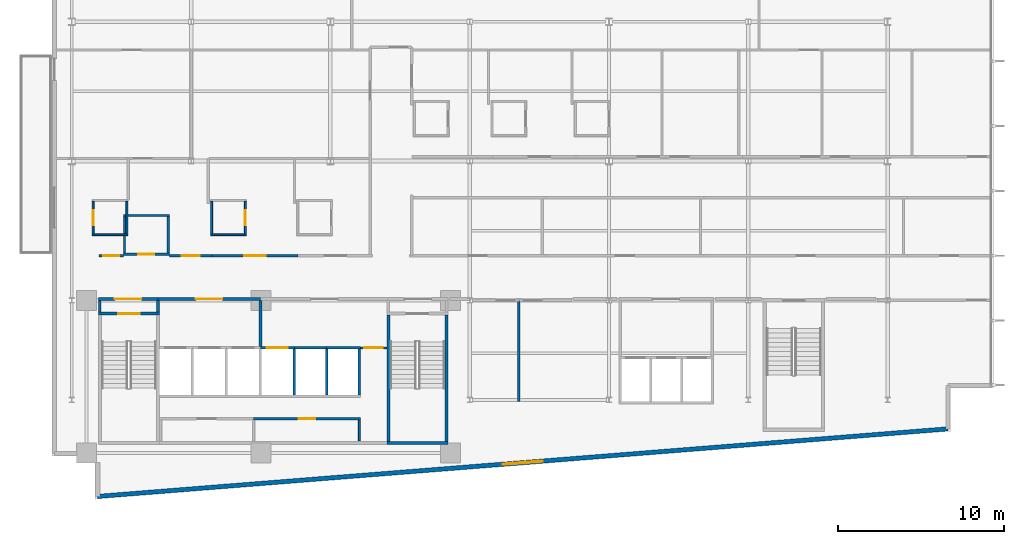
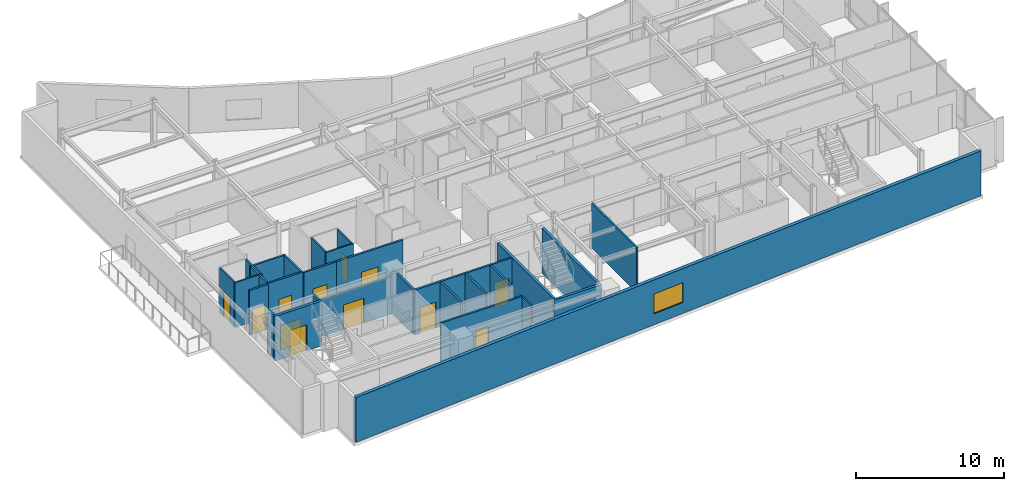
# One storey, part 10 of 18: 33 walls, 12 doors, 1 window, 13 openings.
"""IFC4 building model written with IfcOpenShell, lengths in metres."""

from ifc_helpers import new_model, si_unit, direction, frame, frame_2d, origin, place, context, subcontext, project, spatial, rectangle, extrude, material, layer, layer_set, type_object, element, fill, save


model = new_model("IFC4")

# Units and contexts
model_context = context("Model", 3, precision=1e-05, world=origin(), true_north=direction((0.0, 1.0)))
body_context = subcontext(model_context, "Body", "Model", "MODEL_VIEW")
ifc_project = project(units=[si_unit("LENGTHUNIT", "METRE"), si_unit("AREAUNIT", "SQUARE_METRE"), si_unit("VOLUMEUNIT", "CUBIC_METRE"), si_unit("PLANEANGLEUNIT", "RADIAN"), si_unit("MASSUNIT", "GRAM", prefix="KILO")], contexts=[model_context])

# Site, building, storey
site_placement = place(None, origin())
site = spatial("IfcSite", under=ifc_project, at=site_placement, CompositionType="ELEMENT")
building_placement = place(site_placement, origin())
building = spatial("IfcBuilding", under=site, at=building_placement, Name="Varnakote Quay Hospital", CompositionType="ELEMENT")
storey_placement = place(building_placement, frame((0.0, 0.0, 123.10009765625)))
storey = spatial("IfcBuildingStorey", under=building, at=storey_placement, Name="L30", CompositionType="ELEMENT", Elevation=123.10009765625)

# Wall
ifc_material_1 = material(Name="Fire-rated acoustic gypsum stud wall", Category="gypsum")
ifc_layer_1 = layer(ifc_material_1, 0.159912109375)
ifc_layer_set_1 = layer_set([ifc_layer_1], Name="Fire-rated acoustic gypsum stud wall")
wall_type_1 = type_object("IfcWallType", Name="WL-COMP-160", PredefinedType="PARTITIONING", material=ifc_layer_set_1)
wall_1_placement = place(storey_placement, frame((2.8798828125, 11.300048828125, 0.0), z_axis=(0.0, 0.0, 1.0), x_axis=(0.0, 1.0, 0.0)))
element("IfcWall", 1, at=wall_1_placement, inside=storey, type_object=wall_type_1, Name="L30 West Stair Vestibule West Wall", PredefinedType="PARTITIONING", context=body_context, shape_type="SweptSolid", body=[
    extrude(rectangle(XDim=0.699951171875, YDim=0.159912109375, at=frame_2d((0.35009765625, 0.0))), origin(), (0.0, 0.0, 1.0), 3.7099609375),
])

# Wall, opening, door
wall_2_placement = place(storey_placement, frame((2.800048828125, 12.080078125, 0.0), z_axis=(0.0, 0.0, 1.0), x_axis=(1.0, 0.0, 0.0)))
wall_2 = element("IfcWall", 2, at=wall_2_placement, inside=storey, type_object=wall_type_1, Name="L30 West Stair Vestibule Smoke Wall", PredefinedType="PARTITIONING", context=body_context, shape_type="SweptSolid", body=[
    extrude(rectangle(XDim=3.599853515625, YDim=0.159912109375, at=frame_2d((1.7998046875, 0.0))), origin(), (0.0, 0.0, 1.0), 3.0830078125),
])
opening_1_placement = place(wall_2_placement, frame((1.0, 0.0, 0.0)))
opening_1 = element("IfcOpeningElement", 3, at=opening_1_placement, cuts=wall_2, Name="Opening D-ST1L-L30", PredefinedType="OPENING", context=body_context, shape_type="SweptSolid", body=[
    extrude(rectangle(XDim=1.60009765625, YDim=2.050048828125, at=frame_2d((0.800048828125, 1.02490234375))), frame((0.0, 0.08984375, 0.0), z_axis=(0.0, -1.0, 0.0), x_axis=(1.0, 0.0, 0.0)), (0.0, 0.0, 1.0), 0.179931640625),
])
ifc_material_2 = material(Name="Fire-rated double smoke lobby door")
door_type_1 = type_object("IfcDoorType", Name="DR-LOBBY-FD60S-1600x2150", OperationType="NOTDEFINED", PredefinedType="DOOR", material=ifc_material_2)
door_1_placement = place(opening_1_placement, origin())
door_1 = element("IfcDoor", 4, at=door_1_placement, inside=storey, type_object=door_type_1, Name="L30 West Stair Vestibule Smoke Door", OperationType="DOUBLE_DOOR_SINGLE_SWING", OverallHeight=2.050048828125, OverallWidth=1.60009765625, PredefinedType="DOOR", context=body_context, shape_type="SweptSolid", body=[
    extrude(rectangle(XDim=1.60009765625, YDim=2.050048828125, at=frame_2d((0.800048828125, 1.02490234375))), frame((0.0, 0.02490234375, 0.0), z_axis=(0.0, -1.0, 0.0), x_axis=(1.0, 0.0, 0.0)), (0.0, 0.0, 1.0), 0.050048828125),
])
fill(opening_1, door_1)

# Wall
wall_3_placement = place(storey_placement, frame((6.39990234375, 11.300048828125, 0.0), z_axis=(0.0, 0.0, 1.0), x_axis=(0.0, 1.0, 0.0)))
element("IfcWall", 5, at=wall_3_placement, inside=storey, type_object=wall_type_1, Name="L30 Firefighting Lobby West Wall", PredefinedType="PARTITIONING", context=body_context, shape_type="SweptSolid", body=[
    extrude(rectangle(XDim=0.699951171875, YDim=0.159912109375, at=frame_2d((0.35009765625, 0.0))), origin(), (0.0, 0.0, 1.0), 3.7099609375),
])

# Wall, opening, door
wall_4_placement = place(storey_placement, frame((6.39990234375, 12.080078125, 0.0), z_axis=(0.0, 0.0, 1.0), x_axis=(1.0, 0.0, 0.0)))
wall_4 = element("IfcWall", 6, at=wall_4_placement, inside=storey, type_object=wall_type_1, Name="L30 Firefighting Lift Lobby Compartment Wall", PredefinedType="PARTITIONING", context=body_context, shape_type="SweptSolid", body=[
    extrude(rectangle(XDim=6.18017578125, YDim=0.159912109375, at=frame_2d((3.090087890625, 0.0))), origin(), (0.0, 0.0, 1.0), 3.0830078125),
])
opening_2_placement = place(wall_4_placement, frame((2.2900390625, 0.0, 0.0)))
opening_2 = element("IfcOpeningElement", 7, at=opening_2_placement, cuts=wall_4, Name="Opening D-FFL-L30", PredefinedType="OPENING", context=body_context, shape_type="SweptSolid", body=[
    extrude(rectangle(XDim=1.60009765625, YDim=2.050048828125, at=frame_2d((0.800048828125, 1.02490234375))), frame((0.0, 0.08984375, 0.0), z_axis=(0.0, -1.0, 0.0), x_axis=(1.0, 0.0, 0.0)), (0.0, 0.0, 1.0), 0.179931640625),
])
door_2_placement = place(opening_2_placement, origin())
door_2 = element("IfcDoor", 8, at=door_2_placement, inside=storey, type_object=door_type_1, Name="L30 Firefighting Smoke Vestibule Door", OperationType="DOUBLE_DOOR_SINGLE_SWING", OverallHeight=2.050048828125, OverallWidth=1.60009765625, PredefinedType="DOOR", context=body_context, shape_type="SweptSolid", body=[
    extrude(rectangle(XDim=1.60009765625, YDim=2.050048828125, at=frame_2d((0.800048828125, 1.02490234375))), frame((0.0, 0.02490234375, 0.0), z_axis=(0.0, -1.0, 0.0), x_axis=(1.0, 0.0, 0.0)), (0.0, 0.0, 1.0), 0.050048828125),
])
fill(opening_2, door_2)

# Walls
wall_5_placement = place(storey_placement, frame((12.580078125, 9.2099609375, 0.0), z_axis=(0.0, 0.0, 1.0), x_axis=(0.0, 1.0, 0.0)))
element("IfcWall", 9, at=wall_5_placement, inside=storey, type_object=wall_type_1, Name="L30 Firefighting to Service Lobby Wall", PredefinedType="PARTITIONING", context=body_context, shape_type="SweptSolid", body=[
    extrude(rectangle(XDim=2.7900390625, YDim=0.159912109375, at=frame_2d((1.39501953125, 0.0))), origin(), (0.0, 0.0, 1.0), 3.7099609375),
])
ifc_material_3 = material(Name="Moisture-resistant bathroom partition", Category="gypsum")
ifc_layer_2 = layer(ifc_material_3, 0.114990234375)
ifc_layer_set_2 = layer_set([ifc_layer_2], Name="Moisture-resistant bathroom partition")
wall_type_2 = type_object("IfcWallType", Name="WL-ENS-115", PredefinedType="PARTITIONING", material=ifc_layer_set_2)
wall_6_placement = place(storey_placement, frame((2.43505859375, 15.952392578125, 0.0), z_axis=(0.0, 0.0, 1.0), x_axis=(1.0, 0.0, 0.0)))
element("IfcWall", 10, at=wall_6_placement, inside=storey, type_object=wall_type_2, Name="L30 Inpatient En-Suite Bathroom 01 S Wall", PredefinedType="PARTITIONING", context=body_context, shape_type="SweptSolid", body=[
    extrude(rectangle(XDim=2.14990234375, YDim=0.114990234375, at=frame_2d((1.074951171875, 0.0))), origin(), (0.0, 0.0, 1.0), 3.7099609375),
])

# Wall, opening, door
wall_7_placement = place(storey_placement, frame((2.492431640625, 16.010009765625, 0.0), z_axis=(0.0, 0.0, 1.0), x_axis=(0.0, 1.0, 0.0)))
wall_7 = element("IfcWall", 11, at=wall_7_placement, inside=storey, type_object=wall_type_2, Name="L30 Inpatient En-Suite Bathroom 01 W Wall", PredefinedType="PARTITIONING", context=body_context, shape_type="SweptSolid", body=[
    extrude(rectangle(XDim=1.949951171875, YDim=0.114990234375, at=frame_2d((0.97509765625, 0.0))), origin(), (0.0, 0.0, 1.0), 3.7099609375),
])
opening_3_placement = place(wall_7_placement, frame((0.514892578125, 0.0, 0.0)))
opening_3 = element("IfcOpeningElement", 12, at=opening_3_placement, cuts=wall_7, Name="Opening D-L30-ENS01", PredefinedType="OPENING", context=body_context, shape_type="SweptSolid", body=[
    extrude(rectangle(XDim=0.919921875, YDim=2.10009765625, at=frame_2d((0.4599609375, 1.050048828125))), frame((0.0, 0.0673828125, 0.0), z_axis=(0.0, -1.0, 0.0), x_axis=(1.0, 0.0, 0.0)), (0.0, 0.0, 1.0), 0.135009765625),
])
ifc_material_4 = material(Name="Moisture-sealed en-suite bathroom door")
door_type_2 = type_object("IfcDoorType", Name="DR-ENS-920x2100", OperationType="NOTDEFINED", PredefinedType="DOOR", material=ifc_material_4)
door_3_placement = place(opening_3_placement, origin())
door_3 = element("IfcDoor", 13, at=door_3_placement, inside=storey, type_object=door_type_2, Name="L30 Inpatient En-Suite Bathroom 01 Door", OperationType="SINGLE_SWING_RIGHT", OverallHeight=2.10009765625, OverallWidth=0.919921875, PredefinedType="DOOR", context=body_context, shape_type="SweptSolid", body=[
    extrude(rectangle(XDim=0.919921875, YDim=2.10009765625, at=frame_2d((0.4599609375, 1.050048828125))), frame((0.0, 0.02490234375, 0.0), z_axis=(0.0, -1.0, 0.0), x_axis=(1.0, 0.0, 0.0)), (0.0, 0.0, 1.0), 0.050048828125),
])
fill(opening_3, door_3)

# Walls
wall_8_placement = place(storey_placement, frame((4.527587890625, 16.010009765625, 0.0), z_axis=(0.0, 0.0, 1.0), x_axis=(0.0, 1.0, 0.0)))
element("IfcWall", 14, at=wall_8_placement, inside=storey, type_object=wall_type_2, Name="L30 Inpatient En-Suite Bathroom 01 E Wall", PredefinedType="PARTITIONING", context=body_context, shape_type="SweptSolid", body=[
    extrude(rectangle(XDim=1.949951171875, YDim=0.114990234375, at=frame_2d((0.97509765625, 0.0))), origin(), (0.0, 0.0, 1.0), 3.7099609375),
])
wall_9_placement = place(storey_placement, frame((9.574951171875, 15.952392578125, 0.0), z_axis=(0.0, 0.0, 1.0), x_axis=(1.0, 0.0, 0.0)))
element("IfcWall", 15, at=wall_9_placement, inside=storey, type_object=wall_type_2, Name="L30 Inpatient En-Suite Bathroom 02 S Wall", PredefinedType="PARTITIONING", context=body_context, shape_type="SweptSolid", body=[
    extrude(rectangle(XDim=2.150146484375, YDim=0.114990234375, at=frame_2d((1.0751953125, 0.0))), origin(), (0.0, 0.0, 1.0), 3.7099609375),
])
wall_10_placement = place(storey_placement, frame((9.632568359375, 16.010009765625, 0.0), z_axis=(0.0, 0.0, 1.0), x_axis=(0.0, 1.0, 0.0)))
element("IfcWall", 16, at=wall_10_placement, inside=storey, type_object=wall_type_2, Name="L30 Inpatient En-Suite Bathroom 02 W Wall", PredefinedType="PARTITIONING", context=body_context, shape_type="SweptSolid", body=[
    extrude(rectangle(XDim=1.949951171875, YDim=0.114990234375, at=frame_2d((0.97509765625, 0.0))), origin(), (0.0, 0.0, 1.0), 3.7099609375),
])

# Wall, opening, door
wall_11_placement = place(storey_placement, frame((11.66748046875, 16.010009765625, 0.0), z_axis=(0.0, 0.0, 1.0), x_axis=(0.0, 1.0, 0.0)))
wall_11 = element("IfcWall", 17, at=wall_11_placement, inside=storey, type_object=wall_type_2, Name="L30 Inpatient En-Suite Bathroom 02 E Wall", PredefinedType="PARTITIONING", context=body_context, shape_type="SweptSolid", body=[
    extrude(rectangle(XDim=1.949951171875, YDim=0.114990234375, at=frame_2d((0.97509765625, 0.0))), origin(), (0.0, 0.0, 1.0), 3.7099609375),
])
opening_4_placement = place(wall_11_placement, frame((0.514892578125, 0.0, 0.0)))
opening_4 = element("IfcOpeningElement", 18, at=opening_4_placement, cuts=wall_11, Name="Opening D-L30-ENS02", PredefinedType="OPENING", context=body_context, shape_type="SweptSolid", body=[
    extrude(rectangle(XDim=0.919921875, YDim=2.10009765625, at=frame_2d((0.4599609375, 1.050048828125))), frame((0.0, 0.0673828125, 0.0), z_axis=(0.0, -1.0, 0.0), x_axis=(1.0, 0.0, 0.0)), (0.0, 0.0, 1.0), 0.135009765625),
])
door_4_placement = place(opening_4_placement, origin())
door_4 = element("IfcDoor", 19, at=door_4_placement, inside=storey, type_object=door_type_2, Name="L30 Inpatient En-Suite Bathroom 02 Door", OperationType="SINGLE_SWING_LEFT", OverallHeight=2.10009765625, OverallWidth=0.919921875, PredefinedType="DOOR", context=body_context, shape_type="SweptSolid", body=[
    extrude(rectangle(XDim=0.919921875, YDim=2.10009765625, at=frame_2d((0.4599609375, 1.050048828125))), frame((0.0, 0.02490234375, 0.0), z_axis=(0.0, -1.0, 0.0), x_axis=(1.0, 0.0, 0.0)), (0.0, 0.0, 1.0), 0.050048828125),
])
fill(opening_4, door_4)

# Wall, opening, window
ifc_material_5 = material(Name="Precast concrete N50 (f'c 50 MPa)", Category="concrete")
ifc_layer_3 = layer(ifc_material_5, 0.260009765625)
ifc_layer_set_3 = layer_set([ifc_layer_3], Name="Precast concrete N50 (f'c 50 MPa)")
wall_type_3 = type_object("IfcWallType", Name="WL-EXT-BRICK-260", PredefinedType="STANDARD", material=ifc_layer_set_3)
wall_12_placement = place(storey_placement, frame((2.760009765625, 0.173095703125, 0.0), z_axis=(0.0, 0.0, 1.0), x_axis=(0.996857931723, 0.079210251617, 0.0)))
wall_12 = element("IfcWall", 20, at=wall_12_placement, inside=storey, type_object=wall_type_3, Name="L30 Brick-Faced Precast Exterior Wall", PredefinedType="STANDARD", context=body_context, shape_type="SweptSolid", body=[
    extrude(rectangle(XDim=51.441650390625, YDim=0.260009765625, at=frame_2d((25.720703125, 0.0))), origin(), (0.0, 0.0, 1.0), 3.7099609375),
])
opening_5_placement = place(wall_12_placement, frame((24.520751953125, 0.0, 0.89990234375)))
opening_5 = element("IfcOpeningElement", 21, at=opening_5_placement, cuts=wall_12, Name="Opening WN-0130", PredefinedType="OPENING", context=body_context, shape_type="SweptSolid", body=[
    extrude(rectangle(XDim=2.39990234375, YDim=1.64990234375, at=frame_2d((1.199951171875, 0.824951171875))), frame((0.0, 0.139892578125, 0.0), z_axis=(0.0, -1.0, 0.0), x_axis=(1.0, 0.0, 0.0)), (0.0, 0.0, 1.0), 0.280029296875),
])
ifc_material_6 = material(Name="Double-glazed low-E solar glass", Category="glass")
window_type = type_object("IfcWindowType", Name="WIN-CLIN-2400x1650", PartitioningType="SINGLE_PANEL", PredefinedType="WINDOW", material=ifc_material_6)
window_placement = place(opening_5_placement, origin())
window = element("IfcWindow", 22, at=window_placement, inside=storey, type_object=window_type, Name="L30 Solar-Control Clinical Window", OverallHeight=1.64990234375, OverallWidth=2.39990234375, PartitioningType="SINGLE_PANEL", PredefinedType="WINDOW", context=body_context, shape_type="SweptSolid", body=[
    extrude(rectangle(XDim=2.39990234375, YDim=1.64990234375, at=frame_2d((1.199951171875, 0.824951171875))), frame((0.0, 0.030029296875, 0.0), z_axis=(0.0, -1.0, 0.0), x_axis=(1.0, 0.0, 0.0)), (0.0, 0.0, 1.0), 0.06005859375),
])
fill(opening_5, window)

# Walls
ifc_material_7 = material(Name="Concrete N50 (f'c 50 MPa)", Category="concrete")
ifc_layer_4 = layer(ifc_material_7, 0.14990234375)
ifc_layer_set_4 = layer_set([ifc_layer_4], Name="Concrete N50 (f'c 50 MPa)")
wall_type_4 = type_object("IfcWallType", Name="WL-SHAFT-N50-150", PredefinedType="SHEAR", material=ifc_layer_set_4)
for number, where, z_axis, x_axis, name in (
    (23, (14.625, 6.300048828125, 0.0), (0.0, 0.0, 1.0), (0.0, 1.0, 0.0), "L30 LF-SV2 Hoistway Divider Wall"),
    (24, (16.574951171875, 6.300048828125, 0.0), (0.0, 0.0, 1.0), (0.0, 1.0, 0.0), "L30 LF-PH1 Hoistway Divider Wall"),
):
    element("IfcWall", number, at=place(storey_placement, frame(where, z_axis=z_axis, x_axis=x_axis)), inside=storey, type_object=wall_type_4, Name=name, PredefinedType="SHEAR", context=body_context, shape_type="SweptSolid", body=[
        extrude(rectangle(XDim=2.75, YDim=0.14990234375, at=frame_2d((1.375, 0.0))), origin(), (0.0, 0.0, 1.0), 3.7099609375),
    ])
ifc_material_8 = material(Name="Concrete N50 (f'c 50 MPa)", Category="concrete")
ifc_layer_5 = layer(ifc_material_8, 0.159912109375)
ifc_layer_set_5 = layer_set([ifc_layer_5], Name="Concrete N50 (f'c 50 MPa)")
wall_type_5 = type_object("IfcWallType", Name="WL-SHAFT-N50-160", PredefinedType="SHEAR", material=ifc_layer_set_5)
wall_13_placement = place(storey_placement, frame((18.530029296875, 6.300048828125, 0.0), z_axis=(0.0, 0.0, 1.0), x_axis=(0.0, 1.0, 0.0)))
element("IfcWall", 25, at=wall_13_placement, inside=storey, type_object=wall_type_5, Name="L30 REAR Lift Bank East Shear Wall", PredefinedType="SHEAR", context=body_context, shape_type="SweptSolid", body=[
    extrude(rectangle(XDim=2.75, YDim=0.159912109375, at=frame_2d((1.375, 0.0))), origin(), (0.0, 0.0, 1.0), 3.7099609375),
])

# Wall, opening, door
wall_14_placement = place(storey_placement, frame((12.574951171875, 9.1298828125, 0.0), z_axis=(0.0, 0.0, 1.0), x_axis=(1.0, 0.0, 0.0)))
wall_14 = element("IfcWall", 26, at=wall_14_placement, inside=storey, type_object=wall_type_5, Name="L30 LF-SV2 Hoistway Front Wall", PredefinedType="SHEAR", context=body_context, shape_type="SweptSolid", body=[
    extrude(rectangle(XDim=2.050048828125, YDim=0.159912109375, at=frame_2d((1.02490234375, 0.0))), origin(), (0.0, 0.0, 1.0), 3.7099609375),
])
opening_6_placement = place(wall_14_placement, frame((0.39990234375, 0.0, 0.0)))
opening_6 = element("IfcOpeningElement", 27, at=opening_6_placement, cuts=wall_14, Name="Opening LD-SV2-L30", PredefinedType="OPENING", context=body_context, shape_type="SweptSolid", body=[
    extrude(rectangle(XDim=1.25, YDim=2.14990234375, at=frame_2d((0.625, 1.074951171875))), frame((0.0, 0.08984375, 0.0), z_axis=(0.0, -1.0, 0.0), x_axis=(1.0, 0.0, 0.0)), (0.0, 0.0, 1.0), 0.179931640625),
])
ifc_material_9 = material(Name="Stainless steel lift landing sliding door", Category="steel")
door_type_3 = type_object("IfcDoorType", Name="DR-LIFT-LD-1250x2150", OperationType="NOTDEFINED", PredefinedType="DOOR", material=ifc_material_9)
door_5_placement = place(opening_6_placement, origin())
door_5 = element("IfcDoor", 28, at=door_5_placement, inside=storey, type_object=door_type_3, Name="L30 LF-SV2 Lift Landing Sliding Door", OperationType="SLIDING_TO_LEFT", OverallHeight=2.14990234375, OverallWidth=1.25, PredefinedType="DOOR", context=body_context, shape_type="SweptSolid", body=[
    extrude(rectangle(XDim=1.25, YDim=2.14990234375, at=frame_2d((0.625, 1.074951171875))), frame((0.0, 0.02490234375, 0.0), z_axis=(0.0, -1.0, 0.0), x_axis=(1.0, 0.0, 0.0)), (0.0, 0.0, 1.0), 0.050048828125),
])
fill(opening_6, door_5)

# Walls
wall_15_placement = place(storey_placement, frame((14.625, 9.1298828125, 0.0), z_axis=(0.0, 0.0, 1.0), x_axis=(1.0, 0.0, 0.0)))
element("IfcWall", 29, at=wall_15_placement, inside=storey, type_object=wall_type_5, Name="L30 LF-PH1 Hoistway Front Wall", PredefinedType="SHEAR", context=body_context, shape_type="SweptSolid", body=[
    extrude(rectangle(XDim=1.949951171875, YDim=0.159912109375, at=frame_2d((0.97509765625, 0.0))), origin(), (0.0, 0.0, 1.0), 3.7099609375),
])
wall_16_placement = place(storey_placement, frame((16.574951171875, 9.1298828125, 0.0), z_axis=(0.0, 0.0, 1.0), x_axis=(1.0, 0.0, 0.0)))
element("IfcWall", 30, at=wall_16_placement, inside=storey, type_object=wall_type_5, Name="L30 LF-PH2 Hoistway Front Wall", PredefinedType="SHEAR", context=body_context, shape_type="SweptSolid", body=[
    extrude(rectangle(XDim=2.03515625, YDim=0.159912109375, at=frame_2d((1.017578125, 0.0))), origin(), (0.0, 0.0, 1.0), 3.7099609375),
])

# Wall, opening, door
ifc_material_10 = material(Name="Concrete N50 (f'c 50 MPa)", Category="concrete")
ifc_layer_6 = layer(ifc_material_10, 0.199951171875)
ifc_layer_set_6 = layer_set([ifc_layer_6], Name="Concrete N50 (f'c 50 MPa)")
wall_type_6 = type_object("IfcWallType", Name="WL-SHAFT-N50-200", PredefinedType="SHEAR", material=ifc_layer_set_6)
wall_17_placement = place(storey_placement, frame((2.800048828125, 11.199951171875, 0.0), z_axis=(0.0, 0.0, 1.0), x_axis=(1.0, 0.0, 0.0)))
wall_17 = element("IfcWall", 31, at=wall_17_placement, inside=storey, type_object=wall_type_6, Name="L30 Stair ST1 Exit Wall", PredefinedType="SHEAR", context=body_context, shape_type="SweptSolid", body=[
    extrude(rectangle(XDim=3.699951171875, YDim=0.199951171875, at=frame_2d((1.85009765625, 0.0))), origin(), (0.0, 0.0, 1.0), 3.7099609375),
])
opening_7_placement = place(wall_17_placement, frame((1.199951171875, 0.0, 0.0)))
opening_7 = element("IfcOpeningElement", 32, at=opening_7_placement, cuts=wall_17, Name="Opening D-ST1-L30", PredefinedType="OPENING", context=body_context, shape_type="SweptSolid", body=[
    extrude(rectangle(XDim=1.300048828125, YDim=2.14990234375, at=frame_2d((0.64990234375, 1.074951171875))), frame((0.0, 0.10986328125, 0.0), z_axis=(0.0, -1.0, 0.0), x_axis=(1.0, 0.0, 0.0)), (0.0, 0.0, 1.0), 0.219970703125),
])
ifc_material_11 = material(Name="Fire-rated ceramic-glazed timber exit door", Category="wood")
door_type_4 = type_object("IfcDoorType", Name="DR-STAIR-FD60S-1300x2150", OperationType="NOTDEFINED", PredefinedType="DOOR", material=ifc_material_11)
door_6_placement = place(opening_7_placement, origin())
door_6 = element("IfcDoor", 33, at=door_6_placement, inside=storey, type_object=door_type_4, Name="L30 Stair ST1 Fire Exit Door", OperationType="SINGLE_SWING_LEFT", OverallHeight=2.14990234375, OverallWidth=1.300048828125, PredefinedType="DOOR", context=body_context, shape_type="SweptSolid", body=[
    extrude(rectangle(XDim=1.300048828125, YDim=2.14990234375, at=frame_2d((0.64990234375, 1.074951171875))), frame((0.0, 0.02490234375, 0.0), z_axis=(0.0, -1.0, 0.0), x_axis=(1.0, 0.0, 0.0)), (0.0, 0.0, 1.0), 0.050048828125),
])
fill(opening_7, door_6)

# Walls
wall_18_placement = place(storey_placement, frame((20.199951171875, 3.39990234375, 0.0), z_axis=(0.0, 0.0, 1.0), x_axis=(1.0, 0.0, 0.0)))
element("IfcWall", 34, at=wall_18_placement, inside=storey, type_object=wall_type_6, Name="L30 Stair ST2 South Shaft Wall", PredefinedType="SHEAR", context=body_context, shape_type="SweptSolid", body=[
    extrude(rectangle(XDim=3.699951171875, YDim=0.199951171875, at=frame_2d((1.85009765625, 0.0))), origin(), (0.0, 0.0, 1.0), 3.7099609375),
])
for number, where, z_axis, x_axis, name in (
    (35, (20.300048828125, 3.5, 0.0), (0.0, 0.0, 1.0), (0.0, 1.0, 0.0), "L30 Stair ST2 West Shaft Wall"),
    (36, (23.800048828125, 3.5, 0.0), (0.0, 0.0, 1.0), (0.0, 1.0, 0.0), "L30 Stair ST2 East Shaft Wall"),
):
    element("IfcWall", number, at=place(storey_placement, frame(where, z_axis=z_axis, x_axis=x_axis)), inside=storey, type_object=wall_type_6, Name=name, PredefinedType="SHEAR", context=body_context, shape_type="SweptSolid", body=[
        extrude(rectangle(XDim=7.60009765625, YDim=0.199951171875, at=frame_2d((3.800048828125, 0.0))), origin(), (0.0, 0.0, 1.0), 3.7099609375),
    ])
ifc_material_12 = material(Name="Smoke-proof clinical partition", Category="gypsum")
ifc_layer_7 = layer(ifc_material_12, 0.1201171875)
ifc_layer_set_7 = layer_set([ifc_layer_7], Name="Smoke-proof clinical partition")
wall_type_7 = type_object("IfcWallType", Name="WL-SMOKE-120", PredefinedType="PARTITIONING", material=ifc_layer_set_7)
wall_19_placement = place(storey_placement, frame((18.5400390625, 3.52001953125, 0.0), z_axis=(0.0, 0.0, 1.0), x_axis=(0.0, 1.0, 0.0)))
element("IfcWall", 37, at=wall_19_placement, inside=storey, type_object=wall_type_7, Name="L30 Core South Service East Wall", PredefinedType="PARTITIONING", context=body_context, shape_type="SweptSolid", body=[
    extrude(rectangle(XDim=1.260009765625, YDim=0.1201171875, at=frame_2d((0.6298828125, 0.0))), origin(), (0.0, 0.0, 1.0), 3.7099609375),
])
ifc_material_13 = material(Name="Smoke-proof clinical partition", Category="gypsum")
ifc_layer_8 = layer(ifc_material_13, 0.135009765625)
ifc_layer_set_8 = layer_set([ifc_layer_8], Name="Smoke-proof clinical partition")
wall_type_8 = type_object("IfcWallType", Name="WL-SMOKE-135", PredefinedType="PARTITIONING", material=ifc_layer_set_8)
wall_20_placement = place(storey_placement, frame((28.159912109375, 5.89990234375, 0.0), z_axis=(0.0, 0.0, 1.0), x_axis=(0.0, 1.0, 0.0)))
element("IfcWall", 38, at=wall_20_placement, inside=storey, type_object=wall_type_8, Name="L30 Clinical Interior Partition", PredefinedType="PARTITIONING", context=body_context, shape_type="SweptSolid", body=[
    extrude(rectangle(XDim=6.10009765625, YDim=0.135009765625, at=frame_2d((3.050048828125, 0.0))), origin(), (0.0, 0.0, 1.0), 3.7099609375),
])

# Wall, opening, door
ifc_material_14 = material(Name="Fire-rated clinical gypsum partition", Category="gypsum")
ifc_layer_9 = layer(ifc_material_14, 0.139892578125)
ifc_layer_set_9 = layer_set([ifc_layer_9], Name="Fire-rated clinical gypsum partition")
wall_type_9 = type_object("IfcWallType", Name="WL-WARD-140", PredefinedType="PARTITIONING", material=ifc_layer_set_9)
wall_21_placement = place(storey_placement, frame((12.169921875, 4.85009765625, 0.0), z_axis=(0.0, 0.0, 1.0), x_axis=(1.0, 0.0, 0.0)))
wall_21 = element("IfcWall", 39, at=wall_21_placement, inside=storey, type_object=wall_type_9, Name="L30 Core Staff Sanitary WC North Wall", PredefinedType="PARTITIONING", context=body_context, shape_type="SweptSolid", body=[
    extrude(rectangle(XDim=6.43017578125, YDim=0.139892578125, at=frame_2d((3.215087890625, 0.0))), origin(), (0.0, 0.0, 1.0), 3.7099609375),
])
opening_8_placement = place(wall_21_placement, frame((2.72509765625, 0.0, 0.0)))
opening_8 = element("IfcOpeningElement", 40, at=opening_8_placement, cuts=wall_21, Name="Opening D-L30-CR02", PredefinedType="OPENING", context=body_context, shape_type="SweptSolid", body=[
    extrude(rectangle(XDim=0.97998046875, YDim=2.10009765625, at=frame_2d((0.489990234375, 1.050048828125))), frame((0.0, 0.079833984375, 0.0), z_axis=(0.0, -1.0, 0.0), x_axis=(1.0, 0.0, 0.0)), (0.0, 0.0, 1.0), 0.159912109375),
])
ifc_material_15 = material(Name="Accessible sanitary compartment door")
door_type_5 = type_object("IfcDoorType", Name="DR-WC-980x2100", OperationType="NOTDEFINED", PredefinedType="DOOR", material=ifc_material_15)
door_7_placement = place(opening_8_placement, origin())
door_7 = element("IfcDoor", 41, at=door_7_placement, inside=storey, type_object=door_type_5, Name="L30 Core Staff Sanitary WC Door", OperationType="SINGLE_SWING_LEFT", OverallHeight=2.10009765625, OverallWidth=0.97998046875, PredefinedType="DOOR", context=body_context, shape_type="SweptSolid", body=[
    extrude(rectangle(XDim=0.97998046875, YDim=2.10009765625, at=frame_2d((0.489990234375, 1.050048828125))), frame((0.0, 0.02490234375, 0.0), z_axis=(0.0, -1.0, 0.0), x_axis=(1.0, 0.0, 0.0)), (0.0, 0.0, 1.0), 0.050048828125),
])
fill(opening_8, door_7)

wall_22_placement = place(storey_placement, frame((18.610107421875, 9.1298828125, 0.0), z_axis=(0.0, 0.0, 1.0), x_axis=(1.0, 0.0, 0.0)))
wall_22 = element("IfcWall", 42, at=wall_22_placement, inside=storey, type_object=wall_type_9, Name="L30 Core Service Corridor North Door Wall", PredefinedType="PARTITIONING", context=body_context, shape_type="SweptSolid", body=[
    extrude(rectangle(XDim=1.58984375, YDim=0.139892578125, at=frame_2d((0.794921875, 0.0))), origin(), (0.0, 0.0, 1.0), 3.7099609375),
])
opening_9_placement = place(wall_22_placement, frame((0.239990234375, 0.0, 0.0)))
opening_9 = element("IfcOpeningElement", 43, at=opening_9_placement, cuts=wall_22, Name="Opening D-CSRV-L30", PredefinedType="OPENING", context=body_context, shape_type="SweptSolid", body=[
    extrude(rectangle(XDim=1.10009765625, YDim=2.10009765625, at=frame_2d((0.550048828125, 1.050048828125))), frame((0.0, 0.079833984375, 0.0), z_axis=(0.0, -1.0, 0.0), x_axis=(1.0, 0.0, 0.0)), (0.0, 0.0, 1.0), 0.159912109375),
])
ifc_material_16 = material(Name="Acoustic timber clinical consult door", Category="wood")
door_type_6 = type_object("IfcDoorType", Name="DR-CLIN-FD30S-1100x2100", OperationType="NOTDEFINED", PredefinedType="DOOR", material=ifc_material_16)
door_8_placement = place(opening_9_placement, origin())
door_8 = element("IfcDoor", 44, at=door_8_placement, inside=storey, type_object=door_type_6, Name="L30 Core Service Corridor Door", OperationType="SINGLE_SWING_RIGHT", OverallHeight=2.10009765625, OverallWidth=1.10009765625, PredefinedType="DOOR", context=body_context, shape_type="SweptSolid", body=[
    extrude(rectangle(XDim=1.10009765625, YDim=2.10009765625, at=frame_2d((0.550048828125, 1.050048828125))), frame((0.0, 0.02490234375, 0.0), z_axis=(0.0, -1.0, 0.0), x_axis=(1.0, 0.0, 0.0)), (0.0, 0.0, 1.0), 0.050048828125),
])
fill(opening_9, door_8)

wall_23_placement = place(storey_placement, frame((4.31005859375, 14.77001953125, 0.0), z_axis=(0.0, 0.0, 1.0), x_axis=(1.0, 0.0, 0.0)))
wall_23 = element("IfcWall", 45, at=wall_23_placement, inside=storey, type_object=wall_type_9, Name="L30 Floor Unisex Accessible WC S Wall", PredefinedType="PARTITIONING", context=body_context, shape_type="SweptSolid", body=[
    extrude(rectangle(XDim=2.780029296875, YDim=0.139892578125, at=frame_2d((1.39013671875, 0.0))), origin(), (0.0, 0.0, 1.0), 3.7099609375),
])
opening_10_placement = place(wall_23_placement, frame((0.89990234375, 0.0, 0.0)))
opening_10 = element("IfcOpeningElement", 46, at=opening_10_placement, cuts=wall_23, Name="Opening D-L30-EW01", PredefinedType="OPENING", context=body_context, shape_type="SweptSolid", body=[
    extrude(rectangle(XDim=0.97998046875, YDim=2.10009765625, at=frame_2d((0.489990234375, 1.050048828125))), frame((0.0, 0.079833984375, 0.0), z_axis=(0.0, -1.0, 0.0), x_axis=(1.0, 0.0, 0.0)), (0.0, 0.0, 1.0), 0.159912109375),
])
door_9_placement = place(opening_10_placement, origin())
door_9 = element("IfcDoor", 47, at=door_9_placement, inside=storey, type_object=door_type_5, Name="L30 Floor Unisex Accessible WC Door", OperationType="SINGLE_SWING_LEFT", OverallHeight=2.10009765625, OverallWidth=0.97998046875, PredefinedType="DOOR", context=body_context, shape_type="SweptSolid", body=[
    extrude(rectangle(XDim=0.97998046875, YDim=2.10009765625, at=frame_2d((0.489990234375, 1.050048828125))), frame((0.0, 0.02490234375, 0.0), z_axis=(0.0, -1.0, 0.0), x_axis=(1.0, 0.0, 0.0)), (0.0, 0.0, 1.0), 0.050048828125),
])
fill(opening_10, door_9)

# Walls
wall_24_placement = place(storey_placement, frame((4.31005859375, 17.110107421875, 0.0), z_axis=(0.0, 0.0, 1.0), x_axis=(1.0, 0.0, 0.0)))
element("IfcWall", 48, at=wall_24_placement, inside=storey, type_object=wall_type_9, Name="L30 Floor Unisex Accessible WC N Wall", PredefinedType="PARTITIONING", context=body_context, shape_type="SweptSolid", body=[
    extrude(rectangle(XDim=2.780029296875, YDim=0.139892578125, at=frame_2d((1.39013671875, 0.0))), origin(), (0.0, 0.0, 1.0), 3.7099609375),
])
for number, where, z_axis, x_axis, name in (
    (49, (4.3798828125, 14.840087890625, 0.0), (0.0, 0.0, 1.0), (0.0, 1.0, 0.0), "L30 Floor Unisex Accessible WC W Wall"),
    (50, (7.02001953125, 14.840087890625, 0.0), (0.0, 0.0, 1.0), (0.0, 1.0, 0.0), "L30 Floor Unisex Accessible WC E Wall"),
):
    element("IfcWall", number, at=place(storey_placement, frame(where, z_axis=z_axis, x_axis=x_axis)), inside=storey, type_object=wall_type_9, Name=name, PredefinedType="PARTITIONING", context=body_context, shape_type="SweptSolid", body=[
        extrude(rectangle(XDim=2.199951171875, YDim=0.139892578125, at=frame_2d((1.10009765625, 0.0))), origin(), (0.0, 0.0, 1.0), 3.7099609375),
    ])

# Wall, opening, door
ifc_material_17 = material(Name="Fire-rated clinical gypsum partition", Category="gypsum")
ifc_layer_10 = layer(ifc_material_17, 0.14990234375)
ifc_layer_set_10 = layer_set([ifc_layer_10], Name="Fire-rated clinical gypsum partition")
wall_type_10 = type_object("IfcWallType", Name="WL-WARD-150", PredefinedType="PARTITIONING", material=ifc_layer_set_10)
wall_25_placement = place(storey_placement, frame((4.30810546875, 14.679931640625, 0.0), z_axis=(0.0, 0.0, 1.0), x_axis=(-1.0, 0.0, 0.0)))
wall_25 = element("IfcWall", 51, at=wall_25_placement, inside=storey, type_object=wall_type_10, Name="L30 Clinical Interior Partition", PredefinedType="PARTITIONING", context=body_context, shape_type="SweptSolid", body=[
    extrude(rectangle(XDim=1.4580078125, YDim=0.14990234375, at=frame_2d((0.72900390625, 0.0))), origin(), (0.0, 0.0, 1.0), 3.7099609375),
])
opening_11_placement = place(wall_25_placement, frame((0.239013671875, 0.0, 0.0)))
opening_11 = element("IfcOpeningElement", 52, at=opening_11_placement, cuts=wall_25, Name="Opening D-L30-BR01", PredefinedType="OPENING", context=body_context, shape_type="SweptSolid", body=[
    extrude(rectangle(XDim=0.97998046875, YDim=2.10009765625, at=frame_2d((0.489990234375, 1.050048828125))), frame((0.0, 0.0849609375, 0.0), z_axis=(0.0, -1.0, 0.0), x_axis=(1.0, 0.0, 0.0)), (0.0, 0.0, 1.0), 0.169921875),
])
door_10_placement = place(opening_11_placement, origin())
door_10 = element("IfcDoor", 53, at=door_10_placement, inside=storey, type_object=door_type_5, Name="L30 Resident Care Bedroom 01 Door", OperationType="SINGLE_SWING_LEFT", OverallHeight=2.10009765625, OverallWidth=0.97998046875, PredefinedType="DOOR", context=body_context, shape_type="SweptSolid", body=[
    extrude(rectangle(XDim=0.97998046875, YDim=2.10009765625, at=frame_2d((0.489990234375, 1.050048828125))), frame((0.0, 0.02490234375, 0.0), z_axis=(0.0, -1.0, 0.0), x_axis=(1.0, 0.0, 0.0)), (0.0, 0.0, 1.0), 0.050048828125),
])
fill(opening_11, door_10)

wall_26_placement = place(storey_placement, frame((9.656005859375, 14.679931640625, 0.0), z_axis=(0.0, 0.0, 1.0), x_axis=(-1.0, 0.0, 0.0)))
wall_26 = element("IfcWall", 54, at=wall_26_placement, inside=storey, type_object=wall_type_10, Name="L30 Clinical Interior Partition", PredefinedType="PARTITIONING", context=body_context, shape_type="SweptSolid", body=[
    extrude(rectangle(XDim=2.56396484375, YDim=0.14990234375, at=frame_2d((1.281982421875, 0.0))), origin(), (0.0, 0.0, 1.0), 3.7099609375),
])
opening_12_placement = place(wall_26_placement, frame((0.73193359375, 0.0, 0.0)))
opening_12 = element("IfcOpeningElement", 55, at=opening_12_placement, cuts=wall_26, Name="Opening D-L30-MD01", PredefinedType="OPENING", context=body_context, shape_type="SweptSolid", body=[
    extrude(rectangle(XDim=1.10009765625, YDim=2.10009765625, at=frame_2d((0.550048828125, 1.050048828125))), frame((0.0, 0.0849609375, 0.0), z_axis=(0.0, -1.0, 0.0), x_axis=(1.0, 0.0, 0.0)), (0.0, 0.0, 1.0), 0.169921875),
])
door_11_placement = place(opening_12_placement, origin())
door_11 = element("IfcDoor", 56, at=door_11_placement, inside=storey, type_object=door_type_6, Name="L30 Ward Nurse Station Office Door", OperationType="SINGLE_SWING_RIGHT", OverallHeight=2.10009765625, OverallWidth=1.10009765625, PredefinedType="DOOR", context=body_context, shape_type="SweptSolid", body=[
    extrude(rectangle(XDim=1.10009765625, YDim=2.10009765625, at=frame_2d((0.550048828125, 1.050048828125))), frame((0.0, 0.02490234375, 0.0), z_axis=(0.0, -1.0, 0.0), x_axis=(1.0, 0.0, 0.0)), (0.0, 0.0, 1.0), 0.050048828125),
])
fill(opening_12, door_11)

wall_27_placement = place(storey_placement, frame((14.85595703125, 14.679931640625, 0.0), z_axis=(0.0, 0.0, 1.0), x_axis=(-1.0, 0.0, 0.0)))
wall_27 = element("IfcWall", 57, at=wall_27_placement, inside=storey, type_object=wall_type_10, Name="L30 Clinical Interior Partition", PredefinedType="PARTITIONING", context=body_context, shape_type="SweptSolid", body=[
    extrude(rectangle(XDim=5.197998046875, YDim=0.14990234375, at=frame_2d((2.59912109375, 0.0))), origin(), (0.0, 0.0, 1.0), 3.7099609375),
])
opening_13_placement = place(wall_27_placement, frame((1.948974609375, 0.0, 0.0)))
opening_13 = element("IfcOpeningElement", 58, at=opening_13_placement, cuts=wall_27, Name="Opening D-L30-BR02", PredefinedType="OPENING", context=body_context, shape_type="SweptSolid", body=[
    extrude(rectangle(XDim=1.300048828125, YDim=2.14990234375, at=frame_2d((0.64990234375, 1.074951171875))), frame((0.0, 0.0849609375, 0.0), z_axis=(0.0, -1.0, 0.0), x_axis=(1.0, 0.0, 0.0)), (0.0, 0.0, 1.0), 0.169921875),
])
ifc_material_18 = material(Name="Solid-core timber clinical bed door", Category="wood")
door_type_7 = type_object("IfcDoorType", Name="DR-WARD-FD30S-1300x2150", OperationType="NOTDEFINED", PredefinedType="DOOR", material=ifc_material_18)
door_12_placement = place(opening_13_placement, origin())
door_12 = element("IfcDoor", 59, at=door_12_placement, inside=storey, type_object=door_type_7, Name="L30 Resident Care Bedroom 02 Door", OperationType="SINGLE_SWING_LEFT", OverallHeight=2.14990234375, OverallWidth=1.300048828125, PredefinedType="DOOR", context=body_context, shape_type="SweptSolid", body=[
    extrude(rectangle(XDim=1.300048828125, YDim=2.14990234375, at=frame_2d((0.64990234375, 1.074951171875))), frame((0.0, 0.02490234375, 0.0), z_axis=(0.0, -1.0, 0.0), x_axis=(1.0, 0.0, 0.0)), (0.0, 0.0, 1.0), 0.050048828125),
])
fill(opening_13, door_12)

save(model, "model.ifc")
